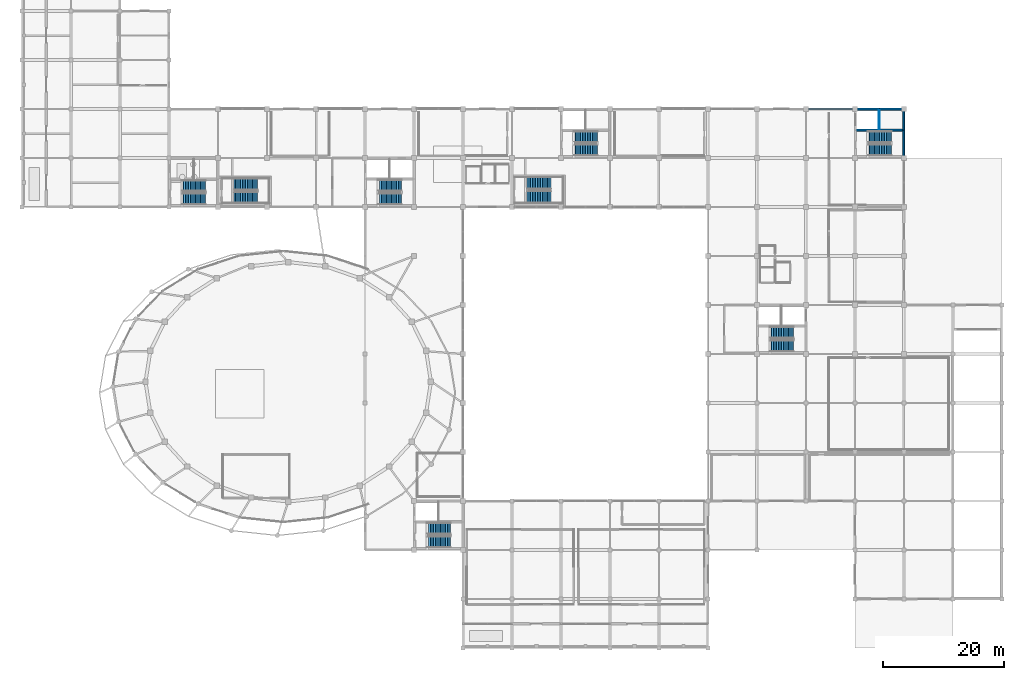
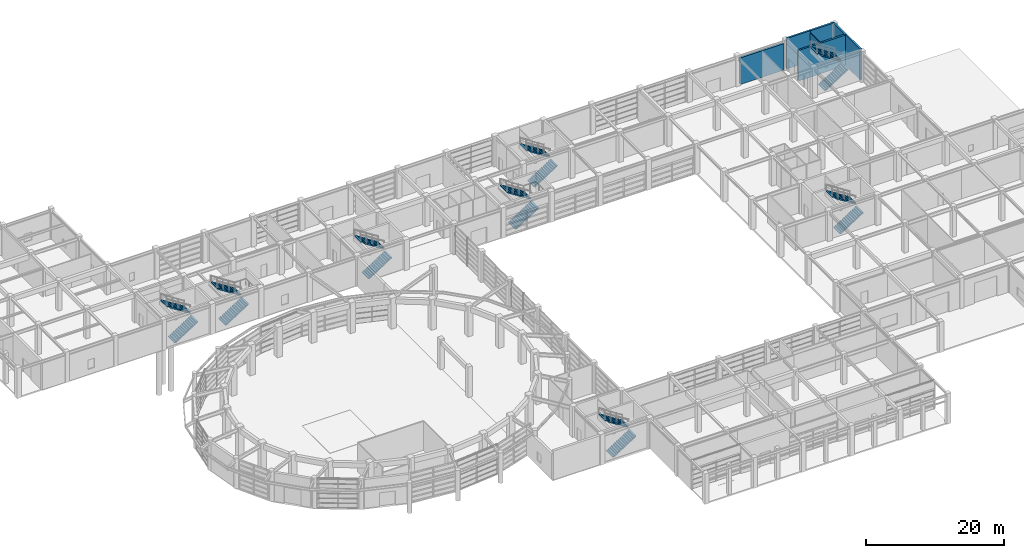
# One storey, part 43 of 52: 16 stair flights, 7 walls, 8 elements without a shape of their own.
"""IFC4 building model written with IfcOpenShell, lengths in metres."""

from ifc_helpers import new_model, si_unit, direction, frame, frame_2d, origin, place, context, subcontext, project, spatial, polyline, rectangle, outline, extrude, material, layer, layer_set, type_object, element, aggregate, save


model = new_model("IFC4")

# Units and contexts
model_context = context("Model", 3, precision=1e-05, world=origin(), true_north=direction((0.0, 1.0)))
body_context = subcontext(model_context, "Body", "Model", "MODEL_VIEW")
ifc_project = project(units=[si_unit("LENGTHUNIT", "METRE"), si_unit("AREAUNIT", "SQUARE_METRE"), si_unit("VOLUMEUNIT", "CUBIC_METRE"), si_unit("PLANEANGLEUNIT", "RADIAN"), si_unit("MASSUNIT", "GRAM", prefix="KILO")], contexts=[model_context])

# Site, building, storey
site_placement = place(None, origin())
site = spatial("IfcSite", under=ifc_project, at=site_placement, CompositionType="ELEMENT")
building_placement = place(site_placement, origin())
building = spatial("IfcBuilding", under=site, at=building_placement, Name="Parian Resonance Hall", CompositionType="ELEMENT")
storey_placement = place(building_placement, origin())
storey = spatial("IfcBuildingStorey", under=building, at=storey_placement, Name="L00", CompositionType="ELEMENT", Elevation=0.0)

# Walls
ifc_material_1 = material(Name="Concrete C40/50", Category="concrete")
ifc_layer_1 = layer(ifc_material_1, 0.31005859375)
ifc_layer_set_1 = layer_set([ifc_layer_1], Name="Concrete C40/50")
wall_type_1 = type_object("IfcWallType", Name="CW310", PredefinedType="SHEAR", material=ifc_layer_set_1)
wall_1_placement = place(storey_placement, frame((137.7900390625, 89.10009765625, 0.0), z_axis=(0.0, 0.0, 1.0), x_axis=(1.0, 0.0, 0.0)))
element("IfcWall", 1, at=wall_1_placement, inside=storey, type_object=wall_type_1, Name="Core K6 north-west shaft wall L00", PredefinedType="SHEAR", context=body_context, shape_type="SweptSolid", body=[
    extrude(rectangle(XDim=3.9599609375, YDim=0.31005859375, at=frame_2d((1.97998046875, 0.0))), origin(), (0.0, 0.0, 1.0), 5.39990234375),
])
wall_2_placement = place(storey_placement, frame((141.75, 89.10009765625, 0.0), z_axis=(0.0, 0.0, 1.0), x_axis=(1.0, 0.0, 0.0)))
element("IfcWall", 2, at=wall_2_placement, inside=storey, type_object=wall_type_1, Name="Core K6 north-east shaft wall L00", PredefinedType="SHEAR", context=body_context, shape_type="SweptSolid", body=[
    extrude(rectangle(XDim=4.02001953125, YDim=0.31005859375, at=frame_2d((2.010009765625, 0.0))), origin(), (0.0, 0.0, 1.0), 5.39990234375),
])
wall_3_placement = place(storey_placement, frame((145.77001953125, 89.10009765625, 0.0), z_axis=(0.0, 0.0, 1.0), x_axis=(0.0, -1.0, 0.0)))
element("IfcWall", 3, at=wall_3_placement, inside=storey, type_object=wall_type_1, Name="Core K6 east shaft wall L00", PredefinedType="SHEAR", context=body_context, shape_type="SweptSolid", body=[
    extrude(rectangle(XDim=3.489990234375, YDim=0.31005859375, at=frame_2d((1.7451171875, 0.0))), origin(), (0.0, 0.0, 1.0), 5.39990234375),
])
wall_4_placement = place(storey_placement, frame((145.77001953125, 85.610107421875, 0.0), z_axis=(0.0, 0.0, 1.0), x_axis=(0.0, -1.0, 0.0)))
element("IfcWall", 4, at=wall_4_placement, inside=storey, type_object=wall_type_1, Name="Core K6 stairwell east wall L00", PredefinedType="SHEAR", context=body_context, shape_type="SweptSolid", body=[
    extrude(rectangle(XDim=4.360107421875, YDim=0.31005859375, at=frame_2d((2.18017578125, 0.0))), origin(), (0.0, 0.0, 1.0), 5.39990234375),
])
wall_5_placement = place(storey_placement, frame((137.7900390625, 85.610107421875, 0.0), z_axis=(0.0, 0.0, 1.0), x_axis=(1.0, 0.0, 0.0)))
element("IfcWall", 5, at=wall_5_placement, inside=storey, type_object=wall_type_1, Name="Core K6 stair-lift divider wall L00", PredefinedType="SHEAR", context=body_context, shape_type="SweptSolid", body=[
    extrude(rectangle(XDim=7.97998046875, YDim=0.31005859375, at=frame_2d((3.989990234375, 0.0))), origin(), (0.0, 0.0, 1.0), 5.39990234375),
])
ifc_material_2 = material(Name="Concrete C35/45 with Carcar coral-limestone ashlar", Category="masonry")
ifc_layer_2 = layer(ifc_material_2, 0.3798828125)
ifc_layer_set_2 = layer_set([ifc_layer_2], Name="Concrete C35/45 with Carcar coral-limestone ashlar")
wall_type_2 = type_object("IfcWallType", Name="EW-PLINTH-380", PredefinedType="SOLIDWALL", material=ifc_layer_set_2)
wall_6_placement = place(storey_placement, frame((130.0, 89.10009765625, 0.0), z_axis=(0.0, 0.0, 1.0), x_axis=(1.0, 0.0, 0.0)))
element("IfcWall", 6, at=wall_6_placement, inside=storey, type_object=wall_type_2, Name="Exterior wall EW-L00-0160", PredefinedType="SOLIDWALL", context=body_context, shape_type="SweptSolid", body=[
    extrude(rectangle(XDim=7.300048828125, YDim=0.3798828125, at=frame_2d((3.64990234375, 0.0))), origin(), (0.0, 0.0, 1.0), 4.70703125),
])
ifc_material_3 = material(Name="Concrete C35/45 acoustic plumbing chase wall", Category="concrete")
ifc_layer_3 = layer(ifc_material_3, 0.14990234375)
ifc_layer_set_3 = layer_set([ifc_layer_3], Name="Concrete C35/45 acoustic plumbing chase wall")
wall_type_3 = type_object("IfcWallType", Name="PW150", PredefinedType="PLUMBINGWALL", material=ifc_layer_set_3)
wall_7_placement = place(storey_placement, frame((141.75, 85.77001953125, 0.0), z_axis=(0.0, 0.0, 1.0), x_axis=(0.0, 1.0, 0.0)))
element("IfcWall", 7, at=wall_7_placement, inside=storey, type_object=wall_type_3, Name="Core K6 shaft plumbing/riser divider L00", PredefinedType="PLUMBINGWALL", context=body_context, shape_type="SweptSolid", body=[
    extrude(rectangle(XDim=3.169921875, YDim=0.14990234375, at=frame_2d((1.5849609375, 0.0))), origin(), (0.0, 0.0, 1.0), 5.050048828125),
])

# Stair, stair flights
ifc_material_4 = material(Name="Concrete C40/50", Category="concrete")
stair_type_1 = type_object("IfcStairType", Name="STAIR-FOYER-1550", PredefinedType="HALF_TURN_STAIR", material=ifc_material_4)
stair_1_placement = place(storey_placement, origin())
stair_1 = element("IfcStair", 8, at=stair_1_placement, inside=storey, type_object=stair_type_1, Name="L00 ST-07", PredefinedType="HALF_TURN_STAIR")
ifc_material_5 = material(Name="Concrete C40/50", Category="concrete")
stair_flight_type_1 = type_object("IfcStairFlightType", Name="FLIGHT-1550", PredefinedType="STRAIGHT", material=ifc_material_5)
stair_flight_1_placement = place(storey_placement, frame((35.010009765625, 74.47998046875, 0.0), z_axis=(0.0, 0.0, 1.0), x_axis=(1.0, 0.0, 0.0)))
stair_flight_1 = element("IfcStairFlight", 9, at=stair_flight_1_placement, type_object=stair_flight_type_1, Name="ST-07 flight 1", NumberOfRisers=15, NumberOfTreads=14, PredefinedType="STRAIGHT", RiserHeight=0.18, TreadLength=0.28, context=body_context, shape_type="SweptSolid", body=[
    extrude(outline(polyline([(0.0, 0.0), (0.0, 0.179931640625), (0.280029296875, 0.179931640625), (0.280029296875, 0.360107421875), (0.56005859375, 0.360107421875), (0.56005859375, 0.5400390625), (0.840087890625, 0.5400390625), (0.840087890625, 0.719970703125), (1.1201171875, 0.719970703125), (1.1201171875, 0.89990234375), (1.39990234375, 0.89990234375), (1.39990234375, 1.080078125), (1.679931640625, 1.080078125), (1.679931640625, 1.260009765625), (1.9599609375, 1.260009765625), (1.9599609375, 1.43994140625), (2.239990234375, 1.43994140625), (2.239990234375, 1.6201171875), (2.52001953125, 1.6201171875), (2.52001953125, 1.800048828125), (2.800048828125, 1.800048828125), (2.800048828125, 1.97998046875), (3.080078125, 1.97998046875), (3.080078125, 2.159912109375), (3.360107421875, 2.159912109375), (3.360107421875, 2.340087890625), (3.639892578125, 2.340087890625), (3.639892578125, 2.52001953125), (3.919921875, 2.52001953125), (3.919921875, 2.699951171875), (3.919921875, 2.341796875), (0.277099609375, 0.0), (0.0, 0.0)])), frame((0.0, 0.97998046875, 0.0), z_axis=(0.0, -1.0, 0.0), x_axis=(1.0, 0.0, 0.0)), (0.0, 0.0, 1.0), 1.9599609375),
])
stair_flight_2_placement = place(storey_placement, frame((38.929931640625, 76.699951171875, 2.699951171875), z_axis=(0.0, 0.0, 1.0), x_axis=(-1.0, 0.0, 0.0)))
stair_flight_2 = element("IfcStairFlight", 10, at=stair_flight_2_placement, type_object=stair_flight_type_1, Name="ST-07 flight 2", NumberOfRisers=15, NumberOfTreads=14, PredefinedType="STRAIGHT", RiserHeight=0.18, TreadLength=0.28, context=body_context, shape_type="SweptSolid", body=[
    extrude(outline(polyline([(0.0, 0.0), (0.0, 0.179931640625), (0.280029296875, 0.179931640625), (0.280029296875, 0.360107421875), (0.56005859375, 0.360107421875), (0.56005859375, 0.5400390625), (0.840087890625, 0.5400390625), (0.840087890625, 0.719970703125), (1.1201171875, 0.719970703125), (1.1201171875, 0.89990234375), (1.39990234375, 0.89990234375), (1.39990234375, 1.080078125), (1.679931640625, 1.080078125), (1.679931640625, 1.260009765625), (1.9599609375, 1.260009765625), (1.9599609375, 1.43994140625), (2.239990234375, 1.43994140625), (2.239990234375, 1.6201171875), (2.52001953125, 1.6201171875), (2.52001953125, 1.800048828125), (2.800048828125, 1.800048828125), (2.800048828125, 1.97998046875), (3.080078125, 1.97998046875), (3.080078125, 2.159912109375), (3.360107421875, 2.159912109375), (3.360107421875, 2.340087890625), (3.639892578125, 2.340087890625), (3.639892578125, 2.52001953125), (3.919921875, 2.52001953125), (3.919921875, 2.699951171875), (3.919921875, 2.341796875), (0.277099609375, 0.0), (0.0, 0.0)])), frame((0.0, 0.97998046875, 0.0), z_axis=(0.0, -1.0, 0.0), x_axis=(1.0, 0.0, 0.0)), (0.0, 0.0, 1.0), 1.9599609375),
])
aggregate(stair_1, [stair_flight_1, stair_flight_2])

ifc_material_6 = material(Name="Concrete C40/50", Category="concrete")
stair_type_2 = type_object("IfcStairType", Name="STAIR-FOYER-1650", PredefinedType="HALF_TURN_STAIR", material=ifc_material_6)
stair_2_placement = place(storey_placement, origin())
stair_2 = element("IfcStair", 11, at=stair_2_placement, inside=storey, type_object=stair_type_2, Name="L00 ST-08", PredefinedType="HALF_TURN_STAIR")
ifc_material_7 = material(Name="Concrete C40/50", Category="concrete")
stair_flight_type_2 = type_object("IfcStairFlightType", Name="FLIGHT-1650", PredefinedType="STRAIGHT", material=ifc_material_7)
stair_flight_3_placement = place(storey_placement, frame((83.510009765625, 74.530029296875, 0.0), z_axis=(0.0, 0.0, 1.0), x_axis=(1.0, 0.0, 0.0)))
stair_flight_3 = element("IfcStairFlight", 12, at=stair_flight_3_placement, type_object=stair_flight_type_2, Name="ST-08 flight 1", NumberOfRisers=15, NumberOfTreads=14, PredefinedType="STRAIGHT", RiserHeight=0.18, TreadLength=0.28, context=body_context, shape_type="SweptSolid", body=[
    extrude(outline(polyline([(0.0, 0.0), (0.0, 0.179931640625), (0.280029296875, 0.179931640625), (0.280029296875, 0.360107421875), (0.56005859375, 0.360107421875), (0.56005859375, 0.5400390625), (0.840087890625, 0.5400390625), (0.840087890625, 0.719970703125), (1.1201171875, 0.719970703125), (1.1201171875, 0.89990234375), (1.39990234375, 0.89990234375), (1.39990234375, 1.080078125), (1.679931640625, 1.080078125), (1.679931640625, 1.260009765625), (1.9599609375, 1.260009765625), (1.9599609375, 1.43994140625), (2.239990234375, 1.43994140625), (2.239990234375, 1.6201171875), (2.52001953125, 1.6201171875), (2.52001953125, 1.800048828125), (2.800048828125, 1.800048828125), (2.800048828125, 1.97998046875), (3.080078125, 1.97998046875), (3.080078125, 2.159912109375), (3.360107421875, 2.159912109375), (3.360107421875, 2.340087890625), (3.639892578125, 2.340087890625), (3.639892578125, 2.52001953125), (3.919921875, 2.52001953125), (3.919921875, 2.699951171875), (3.919921875, 2.341796875), (0.277099609375, 0.0), (0.0, 0.0)])), frame((0.0, 1.030029296875, 0.0), z_axis=(0.0, -1.0, 0.0), x_axis=(1.0, 0.0, 0.0)), (0.0, 0.0, 1.0), 2.06005859375),
])
stair_flight_4_placement = place(storey_placement, frame((87.429931640625, 76.85009765625, 2.699951171875), z_axis=(0.0, 0.0, 1.0), x_axis=(-1.0, 0.0, 0.0)))
stair_flight_4 = element("IfcStairFlight", 13, at=stair_flight_4_placement, type_object=stair_flight_type_2, Name="ST-08 flight 2", NumberOfRisers=15, NumberOfTreads=14, PredefinedType="STRAIGHT", RiserHeight=0.18, TreadLength=0.28, context=body_context, shape_type="SweptSolid", body=[
    extrude(outline(polyline([(0.0, 0.0), (0.0, 0.179931640625), (0.280029296875, 0.179931640625), (0.280029296875, 0.360107421875), (0.56005859375, 0.360107421875), (0.56005859375, 0.5400390625), (0.840087890625, 0.5400390625), (0.840087890625, 0.719970703125), (1.1201171875, 0.719970703125), (1.1201171875, 0.89990234375), (1.39990234375, 0.89990234375), (1.39990234375, 1.080078125), (1.679931640625, 1.080078125), (1.679931640625, 1.260009765625), (1.9599609375, 1.260009765625), (1.9599609375, 1.43994140625), (2.239990234375, 1.43994140625), (2.239990234375, 1.6201171875), (2.52001953125, 1.6201171875), (2.52001953125, 1.800048828125), (2.800048828125, 1.800048828125), (2.800048828125, 1.97998046875), (3.080078125, 1.97998046875), (3.080078125, 2.159912109375), (3.360107421875, 2.159912109375), (3.360107421875, 2.340087890625), (3.639892578125, 2.340087890625), (3.639892578125, 2.52001953125), (3.919921875, 2.52001953125), (3.919921875, 2.699951171875), (3.919921875, 2.341796875), (0.277099609375, 0.0), (0.0, 0.0)])), frame((0.0, 1.030029296875, 0.0), z_axis=(0.0, -1.0, 0.0), x_axis=(1.0, 0.0, 0.0)), (0.0, 0.0, 1.0), 2.06005859375),
])
aggregate(stair_2, [stair_flight_3, stair_flight_4])

ifc_material_8 = material(Name="Concrete C40/50", Category="concrete")
stair_type_3 = type_object("IfcStairType", Name="STAIR-CORE-1800", PredefinedType="HALF_TURN_STAIR", material=ifc_material_8)
stair_3_placement = place(storey_placement, origin())
stair_3 = element("IfcStair", 14, at=stair_3_placement, inside=storey, type_object=stair_type_3, Name="L00 ST-04", PredefinedType="HALF_TURN_STAIR")
ifc_material_9 = material(Name="Concrete C40/50", Category="concrete")
stair_flight_type_3 = type_object("IfcStairFlightType", Name="FLIGHT-1800", PredefinedType="STRAIGHT", material=ifc_material_9)
stair_flight_5_placement = place(storey_placement, frame((26.419921875, 74.239990234375, 0.0), z_axis=(0.0, 0.0, 1.0), x_axis=(1.0, 0.0, 0.0)))
stair_flight_5 = element("IfcStairFlight", 15, at=stair_flight_5_placement, type_object=stair_flight_type_3, Name="ST-04 flight 1", NumberOfRisers=15, NumberOfTreads=14, PredefinedType="STRAIGHT", RiserHeight=0.18, TreadLength=0.28, context=body_context, shape_type="SweptSolid", body=[
    extrude(outline(polyline([(0.0, 0.0), (0.0, 0.179931640625), (0.280029296875, 0.179931640625), (0.280029296875, 0.360107421875), (0.56005859375, 0.360107421875), (0.56005859375, 0.5400390625), (0.840087890625, 0.5400390625), (0.840087890625, 0.719970703125), (1.1201171875, 0.719970703125), (1.1201171875, 0.89990234375), (1.39990234375, 0.89990234375), (1.39990234375, 1.080078125), (1.679931640625, 1.080078125), (1.679931640625, 1.260009765625), (1.9599609375, 1.260009765625), (1.9599609375, 1.43994140625), (2.239990234375, 1.43994140625), (2.239990234375, 1.6201171875), (2.52001953125, 1.6201171875), (2.52001953125, 1.800048828125), (2.800048828125, 1.800048828125), (2.800048828125, 1.97998046875), (3.080078125, 1.97998046875), (3.080078125, 2.159912109375), (3.360107421875, 2.159912109375), (3.360107421875, 2.340087890625), (3.639892578125, 2.340087890625), (3.639892578125, 2.52001953125), (3.919921875, 2.52001953125), (3.919921875, 2.699951171875), (3.919921875, 2.341796875), (0.277099609375, 0.0), (0.0, 0.0)])), frame((0.0, 0.93994140625, 0.0), z_axis=(0.0, -1.0, 0.0), x_axis=(1.0, 0.0, 0.0)), (0.0, 0.0, 1.0), 1.8798828125),
])
stair_flight_6_placement = place(storey_placement, frame((30.340087890625, 76.419921875, 2.699951171875), z_axis=(0.0, 0.0, 1.0), x_axis=(-1.0, 0.0, 0.0)))
stair_flight_6 = element("IfcStairFlight", 16, at=stair_flight_6_placement, type_object=stair_flight_type_3, Name="ST-04 flight 2", NumberOfRisers=15, NumberOfTreads=14, PredefinedType="STRAIGHT", RiserHeight=0.18, TreadLength=0.28, context=body_context, shape_type="SweptSolid", body=[
    extrude(outline(polyline([(0.0, 0.0), (0.0, 0.179931640625), (0.280029296875, 0.179931640625), (0.280029296875, 0.360107421875), (0.56005859375, 0.360107421875), (0.56005859375, 0.5400390625), (0.840087890625, 0.5400390625), (0.840087890625, 0.719970703125), (1.1201171875, 0.719970703125), (1.1201171875, 0.89990234375), (1.39990234375, 0.89990234375), (1.39990234375, 1.080078125), (1.679931640625, 1.080078125), (1.679931640625, 1.260009765625), (1.9599609375, 1.260009765625), (1.9599609375, 1.43994140625), (2.239990234375, 1.43994140625), (2.239990234375, 1.6201171875), (2.52001953125, 1.6201171875), (2.52001953125, 1.800048828125), (2.800048828125, 1.800048828125), (2.800048828125, 1.97998046875), (3.080078125, 1.97998046875), (3.080078125, 2.159912109375), (3.360107421875, 2.159912109375), (3.360107421875, 2.340087890625), (3.639892578125, 2.340087890625), (3.639892578125, 2.52001953125), (3.919921875, 2.52001953125), (3.919921875, 2.699951171875), (3.919921875, 2.341796875), (0.277099609375, 0.0), (0.0, 0.0)])), frame((0.0, 0.93994140625, 0.0), z_axis=(0.0, -1.0, 0.0), x_axis=(1.0, 0.0, 0.0)), (0.0, 0.0, 1.0), 1.8798828125),
])
aggregate(stair_3, [stair_flight_5, stair_flight_6])

stair_4_placement = place(storey_placement, origin())
stair_4 = element("IfcStair", 17, at=stair_4_placement, inside=storey, type_object=stair_type_3, Name="L00 ST-05", PredefinedType="HALF_TURN_STAIR")
stair_flight_7_placement = place(storey_placement, frame((91.219970703125, 82.340087890625, 0.0), z_axis=(0.0, 0.0, 1.0), x_axis=(1.0, 0.0, 0.0)))
stair_flight_7 = element("IfcStairFlight", 18, at=stair_flight_7_placement, type_object=stair_flight_type_3, Name="ST-05 flight 1", NumberOfRisers=15, NumberOfTreads=14, PredefinedType="STRAIGHT", RiserHeight=0.18, TreadLength=0.28, context=body_context, shape_type="SweptSolid", body=[
    extrude(outline(polyline([(0.0, 0.0), (0.0, 0.179931640625), (0.280029296875, 0.179931640625), (0.280029296875, 0.360107421875), (0.56005859375, 0.360107421875), (0.56005859375, 0.5400390625), (0.840087890625, 0.5400390625), (0.840087890625, 0.719970703125), (1.1201171875, 0.719970703125), (1.1201171875, 0.89990234375), (1.39990234375, 0.89990234375), (1.39990234375, 1.080078125), (1.679931640625, 1.080078125), (1.679931640625, 1.260009765625), (1.9599609375, 1.260009765625), (1.9599609375, 1.43994140625), (2.239990234375, 1.43994140625), (2.239990234375, 1.6201171875), (2.52001953125, 1.6201171875), (2.52001953125, 1.800048828125), (2.800048828125, 1.800048828125), (2.800048828125, 1.97998046875), (3.080078125, 1.97998046875), (3.080078125, 2.159912109375), (3.360107421875, 2.159912109375), (3.360107421875, 2.340087890625), (3.639892578125, 2.340087890625), (3.639892578125, 2.52001953125), (3.919921875, 2.52001953125), (3.919921875, 2.699951171875), (3.919921875, 2.341796875), (0.277099609375, 0.0), (0.0, 0.0)])), frame((0.0, 0.93994140625, 0.0), z_axis=(0.0, -1.0, 0.0), x_axis=(1.0, 0.0, 0.0)), (0.0, 0.0, 1.0), 1.8798828125),
])
stair_flight_8_placement = place(storey_placement, frame((95.139892578125, 84.52001953125, 2.699951171875), z_axis=(0.0, 0.0, 1.0), x_axis=(-1.0, 0.0, 0.0)))
stair_flight_8 = element("IfcStairFlight", 19, at=stair_flight_8_placement, type_object=stair_flight_type_3, Name="ST-05 flight 2", NumberOfRisers=15, NumberOfTreads=14, PredefinedType="STRAIGHT", RiserHeight=0.18, TreadLength=0.28, context=body_context, shape_type="SweptSolid", body=[
    extrude(outline(polyline([(0.0, 0.0), (0.0, 0.179931640625), (0.280029296875, 0.179931640625), (0.280029296875, 0.360107421875), (0.56005859375, 0.360107421875), (0.56005859375, 0.5400390625), (0.840087890625, 0.5400390625), (0.840087890625, 0.719970703125), (1.1201171875, 0.719970703125), (1.1201171875, 0.89990234375), (1.39990234375, 0.89990234375), (1.39990234375, 1.080078125), (1.679931640625, 1.080078125), (1.679931640625, 1.260009765625), (1.9599609375, 1.260009765625), (1.9599609375, 1.43994140625), (2.239990234375, 1.43994140625), (2.239990234375, 1.6201171875), (2.52001953125, 1.6201171875), (2.52001953125, 1.800048828125), (2.800048828125, 1.800048828125), (2.800048828125, 1.97998046875), (3.080078125, 1.97998046875), (3.080078125, 2.159912109375), (3.360107421875, 2.159912109375), (3.360107421875, 2.340087890625), (3.639892578125, 2.340087890625), (3.639892578125, 2.52001953125), (3.919921875, 2.52001953125), (3.919921875, 2.699951171875), (3.919921875, 2.341796875), (0.277099609375, 0.0), (0.0, 0.0)])), frame((0.0, 0.93994140625, 0.0), z_axis=(0.0, -1.0, 0.0), x_axis=(1.0, 0.0, 0.0)), (0.0, 0.0, 1.0), 1.8798828125),
])
aggregate(stair_4, [stair_flight_7, stair_flight_8])

stair_5_placement = place(storey_placement, origin())
stair_5 = element("IfcStair", 20, at=stair_5_placement, inside=storey, type_object=stair_type_3, Name="L00 ST-06", PredefinedType="HALF_TURN_STAIR")
stair_flight_9_placement = place(storey_placement, frame((139.820068359375, 82.340087890625, 0.0), z_axis=(0.0, 0.0, 1.0), x_axis=(1.0, 0.0, 0.0)))
stair_flight_9 = element("IfcStairFlight", 21, at=stair_flight_9_placement, type_object=stair_flight_type_3, Name="ST-06 flight 1", NumberOfRisers=15, NumberOfTreads=14, PredefinedType="STRAIGHT", RiserHeight=0.18, TreadLength=0.28, context=body_context, shape_type="SweptSolid", body=[
    extrude(outline(polyline([(0.0, 0.0), (0.0, 0.179931640625), (0.280029296875, 0.179931640625), (0.280029296875, 0.360107421875), (0.56005859375, 0.360107421875), (0.56005859375, 0.5400390625), (0.840087890625, 0.5400390625), (0.840087890625, 0.719970703125), (1.1201171875, 0.719970703125), (1.1201171875, 0.89990234375), (1.39990234375, 0.89990234375), (1.39990234375, 1.080078125), (1.679931640625, 1.080078125), (1.679931640625, 1.260009765625), (1.9599609375, 1.260009765625), (1.9599609375, 1.43994140625), (2.239990234375, 1.43994140625), (2.239990234375, 1.6201171875), (2.52001953125, 1.6201171875), (2.52001953125, 1.800048828125), (2.800048828125, 1.800048828125), (2.800048828125, 1.97998046875), (3.080078125, 1.97998046875), (3.080078125, 2.159912109375), (3.360107421875, 2.159912109375), (3.360107421875, 2.340087890625), (3.639892578125, 2.340087890625), (3.639892578125, 2.52001953125), (3.919921875, 2.52001953125), (3.919921875, 2.699951171875), (3.919921875, 2.341796875), (0.277099609375, 0.0), (0.0, 0.0)])), frame((0.0, 0.93994140625, 0.0), z_axis=(0.0, -1.0, 0.0), x_axis=(1.0, 0.0, 0.0)), (0.0, 0.0, 1.0), 1.8798828125),
])
stair_flight_10_placement = place(storey_placement, frame((143.739990234375, 84.52001953125, 2.699951171875), z_axis=(0.0, 0.0, 1.0), x_axis=(-1.0, 0.0, 0.0)))
stair_flight_10 = element("IfcStairFlight", 22, at=stair_flight_10_placement, type_object=stair_flight_type_3, Name="ST-06 flight 2", NumberOfRisers=15, NumberOfTreads=14, PredefinedType="STRAIGHT", RiserHeight=0.18, TreadLength=0.28, context=body_context, shape_type="SweptSolid", body=[
    extrude(outline(polyline([(0.0, 0.0), (0.0, 0.179931640625), (0.280029296875, 0.179931640625), (0.280029296875, 0.360107421875), (0.56005859375, 0.360107421875), (0.56005859375, 0.5400390625), (0.840087890625, 0.5400390625), (0.840087890625, 0.719970703125), (1.1201171875, 0.719970703125), (1.1201171875, 0.89990234375), (1.39990234375, 0.89990234375), (1.39990234375, 1.080078125), (1.679931640625, 1.080078125), (1.679931640625, 1.260009765625), (1.9599609375, 1.260009765625), (1.9599609375, 1.43994140625), (2.239990234375, 1.43994140625), (2.239990234375, 1.6201171875), (2.52001953125, 1.6201171875), (2.52001953125, 1.800048828125), (2.800048828125, 1.800048828125), (2.800048828125, 1.97998046875), (3.080078125, 1.97998046875), (3.080078125, 2.159912109375), (3.360107421875, 2.159912109375), (3.360107421875, 2.340087890625), (3.639892578125, 2.340087890625), (3.639892578125, 2.52001953125), (3.919921875, 2.52001953125), (3.919921875, 2.699951171875), (3.919921875, 2.341796875), (0.277099609375, 0.0), (0.0, 0.0)])), frame((0.0, 0.93994140625, 0.0), z_axis=(0.0, -1.0, 0.0), x_axis=(1.0, 0.0, 0.0)), (0.0, 0.0, 1.0), 1.8798828125),
])
aggregate(stair_5, [stair_flight_9, stair_flight_10])

ifc_material_10 = material(Name="Concrete C40/50", Category="concrete")
stair_type_4 = type_object("IfcStairType", Name="STAIR-CORE-1850", PredefinedType="HALF_TURN_STAIR", material=ifc_material_10)
stair_6_placement = place(storey_placement, origin())
stair_6 = element("IfcStair", 23, at=stair_6_placement, inside=storey, type_object=stair_type_4, Name="L00 ST-01", PredefinedType="HALF_TURN_STAIR")
ifc_material_11 = material(Name="Concrete C40/50", Category="concrete")
stair_flight_type_4 = type_object("IfcStairFlightType", Name="FLIGHT-1850", PredefinedType="STRAIGHT", material=ifc_material_11)
stair_flight_11_placement = place(storey_placement, frame((58.840087890625, 74.25, 0.0), z_axis=(0.0, 0.0, 1.0), x_axis=(1.0, 0.0, 0.0)))
stair_flight_11 = element("IfcStairFlight", 24, at=stair_flight_11_placement, type_object=stair_flight_type_4, Name="ST-01 flight 1", NumberOfRisers=15, NumberOfTreads=14, PredefinedType="STRAIGHT", RiserHeight=0.18, TreadLength=0.28, context=body_context, shape_type="SweptSolid", body=[
    extrude(outline(polyline([(0.0, 0.0), (0.0, 0.179931640625), (0.280029296875, 0.179931640625), (0.280029296875, 0.360107421875), (0.56005859375, 0.360107421875), (0.56005859375, 0.5400390625), (0.840087890625, 0.5400390625), (0.840087890625, 0.719970703125), (1.1201171875, 0.719970703125), (1.1201171875, 0.89990234375), (1.39990234375, 0.89990234375), (1.39990234375, 1.080078125), (1.679931640625, 1.080078125), (1.679931640625, 1.260009765625), (1.9599609375, 1.260009765625), (1.9599609375, 1.43994140625), (2.239990234375, 1.43994140625), (2.239990234375, 1.6201171875), (2.52001953125, 1.6201171875), (2.52001953125, 1.800048828125), (2.800048828125, 1.800048828125), (2.800048828125, 1.97998046875), (3.080078125, 1.97998046875), (3.080078125, 2.159912109375), (3.360107421875, 2.159912109375), (3.360107421875, 2.340087890625), (3.639892578125, 2.340087890625), (3.639892578125, 2.52001953125), (3.919921875, 2.52001953125), (3.919921875, 2.699951171875), (3.919921875, 2.341796875), (0.277099609375, 0.0), (0.0, 0.0)])), frame((0.0, 0.949951171875, 0.0), z_axis=(0.0, -1.0, 0.0), x_axis=(1.0, 0.0, 0.0)), (0.0, 0.0, 1.0), 1.89990234375),
])
stair_flight_12_placement = place(storey_placement, frame((62.760009765625, 76.449951171875, 2.699951171875), z_axis=(0.0, 0.0, 1.0), x_axis=(-1.0, 0.0, 0.0)))
stair_flight_12 = element("IfcStairFlight", 25, at=stair_flight_12_placement, type_object=stair_flight_type_4, Name="ST-01 flight 2", NumberOfRisers=15, NumberOfTreads=14, PredefinedType="STRAIGHT", RiserHeight=0.18, TreadLength=0.28, context=body_context, shape_type="SweptSolid", body=[
    extrude(outline(polyline([(0.0, 0.0), (0.0, 0.179931640625), (0.280029296875, 0.179931640625), (0.280029296875, 0.360107421875), (0.56005859375, 0.360107421875), (0.56005859375, 0.5400390625), (0.840087890625, 0.5400390625), (0.840087890625, 0.719970703125), (1.1201171875, 0.719970703125), (1.1201171875, 0.89990234375), (1.39990234375, 0.89990234375), (1.39990234375, 1.080078125), (1.679931640625, 1.080078125), (1.679931640625, 1.260009765625), (1.9599609375, 1.260009765625), (1.9599609375, 1.43994140625), (2.239990234375, 1.43994140625), (2.239990234375, 1.6201171875), (2.52001953125, 1.6201171875), (2.52001953125, 1.800048828125), (2.800048828125, 1.800048828125), (2.800048828125, 1.97998046875), (3.080078125, 1.97998046875), (3.080078125, 2.159912109375), (3.360107421875, 2.159912109375), (3.360107421875, 2.340087890625), (3.639892578125, 2.340087890625), (3.639892578125, 2.52001953125), (3.919921875, 2.52001953125), (3.919921875, 2.699951171875), (3.919921875, 2.341796875), (0.277099609375, 0.0), (0.0, 0.0)])), frame((0.0, 0.949951171875, 0.0), z_axis=(0.0, -1.0, 0.0), x_axis=(1.0, 0.0, 0.0)), (0.0, 0.0, 1.0), 1.89990234375),
])
aggregate(stair_6, [stair_flight_11, stair_flight_12])

stair_7_placement = place(storey_placement, origin())
stair_7 = element("IfcStair", 26, at=stair_7_placement, inside=storey, type_object=stair_type_4, Name="L00 ST-02", PredefinedType="HALF_TURN_STAIR")
stair_flight_13_placement = place(storey_placement, frame((123.639892578125, 49.949951171875, 0.0), z_axis=(0.0, 0.0, 1.0), x_axis=(1.0, 0.0, 0.0)))
stair_flight_13 = element("IfcStairFlight", 27, at=stair_flight_13_placement, type_object=stair_flight_type_4, Name="ST-02 flight 1", NumberOfRisers=15, NumberOfTreads=14, PredefinedType="STRAIGHT", RiserHeight=0.18, TreadLength=0.28, context=body_context, shape_type="SweptSolid", body=[
    extrude(outline(polyline([(0.0, 0.0), (0.0, 0.179931640625), (0.280029296875, 0.179931640625), (0.280029296875, 0.360107421875), (0.56005859375, 0.360107421875), (0.56005859375, 0.5400390625), (0.840087890625, 0.5400390625), (0.840087890625, 0.719970703125), (1.1201171875, 0.719970703125), (1.1201171875, 0.89990234375), (1.39990234375, 0.89990234375), (1.39990234375, 1.080078125), (1.679931640625, 1.080078125), (1.679931640625, 1.260009765625), (1.9599609375, 1.260009765625), (1.9599609375, 1.43994140625), (2.239990234375, 1.43994140625), (2.239990234375, 1.6201171875), (2.52001953125, 1.6201171875), (2.52001953125, 1.800048828125), (2.800048828125, 1.800048828125), (2.800048828125, 1.97998046875), (3.080078125, 1.97998046875), (3.080078125, 2.159912109375), (3.360107421875, 2.159912109375), (3.360107421875, 2.340087890625), (3.639892578125, 2.340087890625), (3.639892578125, 2.52001953125), (3.919921875, 2.52001953125), (3.919921875, 2.699951171875), (3.919921875, 2.341796875), (0.277099609375, 0.0), (0.0, 0.0)])), frame((0.0, 0.949951171875, 0.0), z_axis=(0.0, -1.0, 0.0), x_axis=(1.0, 0.0, 0.0)), (0.0, 0.0, 1.0), 1.89990234375),
])
stair_flight_14_placement = place(storey_placement, frame((127.56005859375, 52.14990234375, 2.699951171875), z_axis=(0.0, 0.0, 1.0), x_axis=(-1.0, 0.0, 0.0)))
stair_flight_14 = element("IfcStairFlight", 28, at=stair_flight_14_placement, type_object=stair_flight_type_4, Name="ST-02 flight 2", NumberOfRisers=15, NumberOfTreads=14, PredefinedType="STRAIGHT", RiserHeight=0.18, TreadLength=0.28, context=body_context, shape_type="SweptSolid", body=[
    extrude(outline(polyline([(0.0, 0.0), (0.0, 0.179931640625), (0.280029296875, 0.179931640625), (0.280029296875, 0.360107421875), (0.56005859375, 0.360107421875), (0.56005859375, 0.5400390625), (0.840087890625, 0.5400390625), (0.840087890625, 0.719970703125), (1.1201171875, 0.719970703125), (1.1201171875, 0.89990234375), (1.39990234375, 0.89990234375), (1.39990234375, 1.080078125), (1.679931640625, 1.080078125), (1.679931640625, 1.260009765625), (1.9599609375, 1.260009765625), (1.9599609375, 1.43994140625), (2.239990234375, 1.43994140625), (2.239990234375, 1.6201171875), (2.52001953125, 1.6201171875), (2.52001953125, 1.800048828125), (2.800048828125, 1.800048828125), (2.800048828125, 1.97998046875), (3.080078125, 1.97998046875), (3.080078125, 2.159912109375), (3.360107421875, 2.159912109375), (3.360107421875, 2.340087890625), (3.639892578125, 2.340087890625), (3.639892578125, 2.52001953125), (3.919921875, 2.52001953125), (3.919921875, 2.699951171875), (3.919921875, 2.341796875), (0.277099609375, 0.0), (0.0, 0.0)])), frame((0.0, 0.949951171875, 0.0), z_axis=(0.0, -1.0, 0.0), x_axis=(1.0, 0.0, 0.0)), (0.0, 0.0, 1.0), 1.89990234375),
])
aggregate(stair_7, [stair_flight_13, stair_flight_14])

stair_8_placement = place(storey_placement, origin())
stair_8 = element("IfcStair", 29, at=stair_8_placement, inside=storey, type_object=stair_type_4, Name="L00 ST-03", PredefinedType="HALF_TURN_STAIR")
stair_flight_15_placement = place(storey_placement, frame((66.93994140625, 17.550048828125, 0.0), z_axis=(0.0, 0.0, 1.0), x_axis=(1.0, 0.0, 0.0)))
stair_flight_15 = element("IfcStairFlight", 30, at=stair_flight_15_placement, type_object=stair_flight_type_4, Name="ST-03 flight 1", NumberOfRisers=15, NumberOfTreads=14, PredefinedType="STRAIGHT", RiserHeight=0.18, TreadLength=0.28, context=body_context, shape_type="SweptSolid", body=[
    extrude(outline(polyline([(0.0, 0.0), (0.0, 0.179931640625), (0.280029296875, 0.179931640625), (0.280029296875, 0.360107421875), (0.56005859375, 0.360107421875), (0.56005859375, 0.5400390625), (0.840087890625, 0.5400390625), (0.840087890625, 0.719970703125), (1.1201171875, 0.719970703125), (1.1201171875, 0.89990234375), (1.39990234375, 0.89990234375), (1.39990234375, 1.080078125), (1.679931640625, 1.080078125), (1.679931640625, 1.260009765625), (1.9599609375, 1.260009765625), (1.9599609375, 1.43994140625), (2.239990234375, 1.43994140625), (2.239990234375, 1.6201171875), (2.52001953125, 1.6201171875), (2.52001953125, 1.800048828125), (2.800048828125, 1.800048828125), (2.800048828125, 1.97998046875), (3.080078125, 1.97998046875), (3.080078125, 2.159912109375), (3.360107421875, 2.159912109375), (3.360107421875, 2.340087890625), (3.639892578125, 2.340087890625), (3.639892578125, 2.52001953125), (3.919921875, 2.52001953125), (3.919921875, 2.699951171875), (3.919921875, 2.341796875), (0.277099609375, 0.0), (0.0, 0.0)])), frame((0.0, 0.949951171875, 0.0), z_axis=(0.0, -1.0, 0.0), x_axis=(1.0, 0.0, 0.0)), (0.0, 0.0, 1.0), 1.89990234375),
])
stair_flight_16_placement = place(storey_placement, frame((70.860107421875, 19.75, 2.699951171875), z_axis=(0.0, 0.0, 1.0), x_axis=(-1.0, 0.0, 0.0)))
stair_flight_16 = element("IfcStairFlight", 31, at=stair_flight_16_placement, type_object=stair_flight_type_4, Name="ST-03 flight 2", NumberOfRisers=15, NumberOfTreads=14, PredefinedType="STRAIGHT", RiserHeight=0.18, TreadLength=0.28, context=body_context, shape_type="SweptSolid", body=[
    extrude(outline(polyline([(0.0, 0.0), (0.0, 0.179931640625), (0.280029296875, 0.179931640625), (0.280029296875, 0.360107421875), (0.56005859375, 0.360107421875), (0.56005859375, 0.5400390625), (0.840087890625, 0.5400390625), (0.840087890625, 0.719970703125), (1.1201171875, 0.719970703125), (1.1201171875, 0.89990234375), (1.39990234375, 0.89990234375), (1.39990234375, 1.080078125), (1.679931640625, 1.080078125), (1.679931640625, 1.260009765625), (1.9599609375, 1.260009765625), (1.9599609375, 1.43994140625), (2.239990234375, 1.43994140625), (2.239990234375, 1.6201171875), (2.52001953125, 1.6201171875), (2.52001953125, 1.800048828125), (2.800048828125, 1.800048828125), (2.800048828125, 1.97998046875), (3.080078125, 1.97998046875), (3.080078125, 2.159912109375), (3.360107421875, 2.159912109375), (3.360107421875, 2.340087890625), (3.639892578125, 2.340087890625), (3.639892578125, 2.52001953125), (3.919921875, 2.52001953125), (3.919921875, 2.699951171875), (3.919921875, 2.341796875), (0.277099609375, 0.0), (0.0, 0.0)])), frame((0.0, 0.949951171875, 0.0), z_axis=(0.0, -1.0, 0.0), x_axis=(1.0, 0.0, 0.0)), (0.0, 0.0, 1.0), 1.89990234375),
])
aggregate(stair_8, [stair_flight_15, stair_flight_16])

save(model, "model.ifc")
